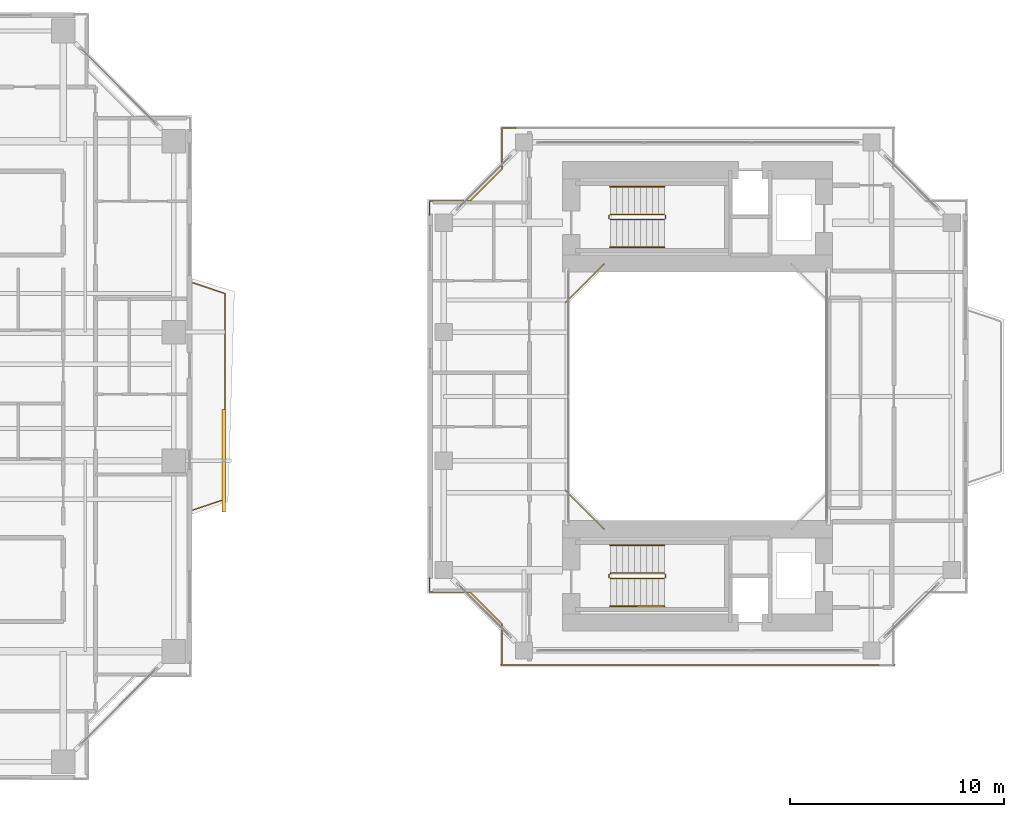
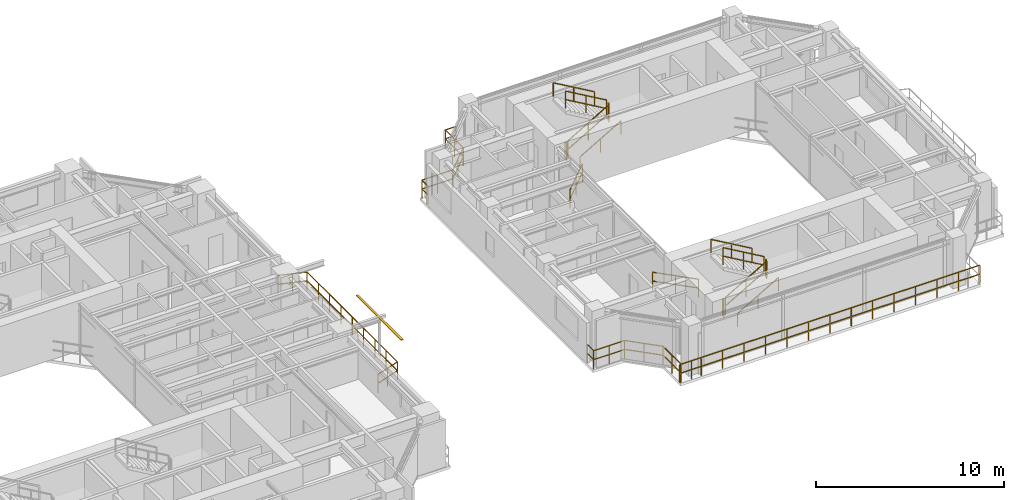
# One storey, part 21 of 23: 18 railings, 1 shading device.
"""IFC4 building model written with IfcOpenShell, lengths in metres."""

from ifc_helpers import new_model, si_unit, direction, frame, origin, origin_2d, place, context, subcontext, project, spatial, rectangle, extrude, source, transform, mapped, material, material_profile, profile_set, type_object, element, save


model = new_model("IFC4")

# Units and contexts
model_context = context("Model", 3, precision=1e-05, world=origin(), true_north=direction((0.0, 1.0)))
body_context = subcontext(model_context, "Body", "Model", "MODEL_VIEW")
ifc_project = project(units=[si_unit("LENGTHUNIT", "METRE"), si_unit("AREAUNIT", "SQUARE_METRE"), si_unit("VOLUMEUNIT", "CUBIC_METRE"), si_unit("PLANEANGLEUNIT", "RADIAN"), si_unit("MASSUNIT", "GRAM", prefix="KILO"), si_unit("THERMODYNAMICTEMPERATUREUNIT", "KELVIN"), si_unit("POWERUNIT", "WATT")], contexts=[model_context])

# Site, building, storey
site_placement = place(None, origin())
site = spatial("IfcSite", under=ifc_project, at=site_placement, CompositionType="ELEMENT")
building_placement = place(site_placement, origin())
building = spatial("IfcBuilding", under=site, at=building_placement, Name="Qiaomeng Ring Towers", CompositionType="ELEMENT")
storey_placement = place(building_placement, frame((0.0, 0.0, 103.5)))
storey = spatial("IfcBuildingStorey", under=building, at=storey_placement, Name="L29", CompositionType="ELEMENT", Elevation=103.5)

# Railings
ifc_material_1 = material(Name="Low-E pale-green laminated safety glass", Category="glass")
railing_type_1 = type_object("IfcRailingType", Name="ARC-RL-BAL1", PredefinedType="BALUSTRADE", material=ifc_material_1)
railing_1_placement = place(storey_placement, frame((36.949951171875, 17.699951171875, 0.0)))
element("IfcRailing", 1, at=railing_1_placement, inside=storey, type_object=railing_type_1, Name="L29 Balustrade ARC-BAL-L29-T1-E", PredefinedType="BALUSTRADE", context=body_context, shape_type="SweptSolid", body=[
    extrude(rectangle(XDim=0.048095703125, YDim=0.048095703125, at=origin_2d()), frame((0.0, 0.0, 1.17578125), z_axis=(0.948044476945, 0.318137815629, 0.0), x_axis=(-0.318137815629, 0.948044476945, 0.0)), (0.0, 0.0, 1.0), 1.571533203125),
    extrude(rectangle(XDim=0.048095703125, YDim=0.048095703125, at=origin_2d()), frame((0.0, 0.0, 0.60009765625), z_axis=(0.948044476945, 0.318137815629, 0.0), x_axis=(-0.318137815629, 0.948044476945, 0.0)), (0.0, 0.0, 1.0), 1.571533203125),
    extrude(rectangle(XDim=0.048095703125, YDim=0.048095703125, at=origin_2d()), frame((1.489990234375, 0.5, 1.17578125), z_axis=(0.0, 1.0, 0.0), x_axis=(-1.0, 0.0, 0.0)), (0.0, 0.0, 1.0), 9.60009765625),
    extrude(rectangle(XDim=0.048095703125, YDim=0.048095703125, at=origin_2d()), frame((1.489990234375, 0.5, 0.60009765625), z_axis=(0.0, 1.0, 0.0), x_axis=(-1.0, 0.0, 0.0)), (0.0, 0.0, 1.0), 9.60009765625),
    extrude(rectangle(XDim=0.048095703125, YDim=0.048095703125, at=origin_2d()), frame((1.489990234375, 10.10009765625, 1.17578125), z_axis=(-0.948044476945, 0.318137815629, 0.0), x_axis=(-0.318137815629, -0.948044476945, 0.0)), (0.0, 0.0, 1.0), 1.571533203125),
    extrude(rectangle(XDim=0.048095703125, YDim=0.048095703125, at=origin_2d()), frame((1.489990234375, 10.10009765625, 0.60009765625), z_axis=(-0.948044476945, 0.318137815629, 0.0), x_axis=(-0.318137815629, -0.948044476945, 0.0)), (0.0, 0.0, 1.0), 1.571533203125),
    extrude(rectangle(XDim=0.0419921875, YDim=0.0419921875, at=origin_2d()), origin(), (0.0, 0.0, 1.0), 1.15185546875),
    extrude(rectangle(XDim=0.0419921875, YDim=0.0419921875, at=origin_2d()), frame((0.7451171875, 0.25, 0.0)), (0.0, 0.0, 1.0), 1.15185546875),
    extrude(rectangle(XDim=0.0419921875, YDim=0.0419921875, at=origin_2d()), frame((1.489990234375, 0.5, 0.0)), (0.0, 0.0, 1.0), 1.15185546875),
    extrude(rectangle(XDim=0.0419921875, YDim=0.0419921875, at=origin_2d()), frame((1.489990234375, 1.699951171875, 0.0)), (0.0, 0.0, 1.0), 1.15185546875),
    extrude(rectangle(XDim=0.0419921875, YDim=0.0419921875, at=origin_2d()), frame((1.489990234375, 2.89990234375, 0.0)), (0.0, 0.0, 1.0), 1.15185546875),
    extrude(rectangle(XDim=0.0419921875, YDim=0.0419921875, at=origin_2d()), frame((1.489990234375, 4.10009765625, 0.0)), (0.0, 0.0, 1.0), 1.15185546875),
    extrude(rectangle(XDim=0.0419921875, YDim=0.0419921875, at=origin_2d()), frame((1.489990234375, 5.300048828125, 0.0)), (0.0, 0.0, 1.0), 1.15185546875),
    extrude(rectangle(XDim=0.0419921875, YDim=0.0419921875, at=origin_2d()), frame((1.489990234375, 6.5, 0.0)), (0.0, 0.0, 1.0), 1.15185546875),
    extrude(rectangle(XDim=0.0419921875, YDim=0.0419921875, at=origin_2d()), frame((1.489990234375, 7.7001953125, 0.0)), (0.0, 0.0, 1.0), 1.15185546875),
    extrude(rectangle(XDim=0.0419921875, YDim=0.0419921875, at=origin_2d()), frame((1.489990234375, 8.900146484375, 0.0)), (0.0, 0.0, 1.0), 1.15185546875),
    extrude(rectangle(XDim=0.0419921875, YDim=0.0419921875, at=origin_2d()), frame((1.489990234375, 10.10009765625, 0.0)), (0.0, 0.0, 1.0), 1.15185546875),
    extrude(rectangle(XDim=0.0419921875, YDim=0.0419921875, at=origin_2d()), frame((0.7451171875, 10.35009765625, 0.0)), (0.0, 0.0, 1.0), 1.15185546875),
    extrude(rectangle(XDim=0.0419921875, YDim=0.0419921875, at=origin_2d()), frame((0.0, 10.60009765625, 0.0)), (0.0, 0.0, 1.0), 1.15185546875),
])
railing_2_placement = place(storey_placement, frame((56.1201171875, 29.179931640625, 0.0)))
element("IfcRailing", 2, at=railing_2_placement, inside=storey, type_object=railing_type_1, Name="L29 Balustrade ARC-BAL-WELL2-L29-3", PredefinedType="BALUSTRADE", context=body_context, shape_type="SweptSolid", body=[
    extrude(rectangle(XDim=0.048095703125, YDim=0.048095703125, at=origin_2d()), frame((0.0, 0.0, 1.17578125), z_axis=(-0.707106781187, -0.707106781187, 0.0), x_axis=(0.707106781187, -0.707106781187, 0.0)), (0.0, 0.0, 1.0), 2.545654296875),
    extrude(rectangle(XDim=0.048095703125, YDim=0.048095703125, at=origin_2d()), frame((0.0, 0.0, 0.60009765625), z_axis=(-0.707106781187, -0.707106781187, 0.0), x_axis=(0.707106781187, -0.707106781187, 0.0)), (0.0, 0.0, 1.0), 2.545654296875),
    extrude(rectangle(XDim=0.0419921875, YDim=0.0419921875, at=origin_2d()), origin(), (0.0, 0.0, 1.0), 1.15185546875),
    extrude(rectangle(XDim=0.0419921875, YDim=0.0419921875, at=origin_2d()), frame((-0.89990234375, -0.89990234375, 0.0)), (0.0, 0.0, 1.0), 1.15185546875),
    extrude(rectangle(XDim=0.0419921875, YDim=0.0419921875, at=origin_2d()), frame((-1.800048828125, -1.800048828125, 0.0)), (0.0, 0.0, 1.0), 1.15185546875),
])
railing_3_placement = place(storey_placement, frame((54.320068359375, 18.6201171875, 0.0)))
element("IfcRailing", 3, at=railing_3_placement, inside=storey, type_object=railing_type_1, Name="L29 Balustrade ARC-BAL-WELL2-L29-4", PredefinedType="BALUSTRADE", context=body_context, shape_type="SweptSolid", body=[
    extrude(rectangle(XDim=0.048095703125, YDim=0.048095703125, at=origin_2d()), frame((0.0, 0.0, 1.17578125), z_axis=(0.707106781187, -0.707106781187, 0.0), x_axis=(0.707106781187, 0.707106781187, 0.0)), (0.0, 0.0, 1.0), 2.545654296875),
    extrude(rectangle(XDim=0.048095703125, YDim=0.048095703125, at=origin_2d()), frame((0.0, 0.0, 0.60009765625), z_axis=(0.707106781187, -0.707106781187, 0.0), x_axis=(0.707106781187, 0.707106781187, 0.0)), (0.0, 0.0, 1.0), 2.545654296875),
    extrude(rectangle(XDim=0.0419921875, YDim=0.0419921875, at=origin_2d()), origin(), (0.0, 0.0, 1.0), 1.15185546875),
    extrude(rectangle(XDim=0.0419921875, YDim=0.0419921875, at=origin_2d()), frame((0.89990234375, -0.89990234375, 0.0)), (0.0, 0.0, 1.0), 1.15185546875),
    extrude(rectangle(XDim=0.0419921875, YDim=0.0419921875, at=origin_2d()), frame((1.800048828125, -1.800048828125, 0.0)), (0.0, 0.0, 1.0), 1.15185546875),
])
railing_4_placement = place(storey_placement, frame((52.030029296875, 35.52001953125, 0.0)))
element("IfcRailing", 4, at=railing_4_placement, inside=storey, type_object=railing_type_1, Name="L29 Balustrade ARC-BAL-NOTCH2-L29-NW", PredefinedType="BALUSTRADE", context=body_context, shape_type="SweptSolid", body=[
    extrude(rectangle(XDim=0.048095703125, YDim=0.048095703125, at=origin_2d()), frame((0.0, 0.0, 1.17578125), z_axis=(-1.0, 0.0, 0.0), x_axis=(0.0, -1.0, 0.0)), (0.0, 0.0, 1.0), 0.650146484375),
    extrude(rectangle(XDim=0.048095703125, YDim=0.048095703125, at=origin_2d()), frame((0.0, 0.0, 0.60009765625), z_axis=(-1.0, 0.0, 0.0), x_axis=(0.0, -1.0, 0.0)), (0.0, 0.0, 1.0), 0.650146484375),
    extrude(rectangle(XDim=0.048095703125, YDim=0.048095703125, at=origin_2d()), frame((-0.650146484375, 0.0, 1.17578125), z_axis=(0.0, -1.0, 0.0), x_axis=(1.0, 0.0, 0.0)), (0.0, 0.0, 1.0), 1.89990234375),
    extrude(rectangle(XDim=0.048095703125, YDim=0.048095703125, at=origin_2d()), frame((-0.650146484375, 0.0, 0.60009765625), z_axis=(0.0, -1.0, 0.0), x_axis=(1.0, 0.0, 0.0)), (0.0, 0.0, 1.0), 1.89990234375),
    extrude(rectangle(XDim=0.048095703125, YDim=0.048095703125, at=origin_2d()), frame((-0.650146484375, -1.89990234375, 1.17578125), z_axis=(-0.707106781187, -0.707106781187, 0.0), x_axis=(0.707106781187, -0.707106781187, 0.0)), (0.0, 0.0, 1.0), 2.121337890625),
    extrude(rectangle(XDim=0.048095703125, YDim=0.048095703125, at=origin_2d()), frame((-0.650146484375, -1.89990234375, 0.60009765625), z_axis=(-0.707106781187, -0.707106781187, 0.0), x_axis=(0.707106781187, -0.707106781187, 0.0)), (0.0, 0.0, 1.0), 2.121337890625),
    extrude(rectangle(XDim=0.048095703125, YDim=0.048095703125, at=origin_2d()), frame((-2.150146484375, -3.39990234375, 1.17578125), z_axis=(-1.0, 0.0, 0.0), x_axis=(0.0, -1.0, 0.0)), (0.0, 0.0, 1.0), 1.89990234375),
    extrude(rectangle(XDim=0.048095703125, YDim=0.048095703125, at=origin_2d()), frame((-2.150146484375, -3.39990234375, 0.60009765625), z_axis=(-1.0, 0.0, 0.0), x_axis=(0.0, -1.0, 0.0)), (0.0, 0.0, 1.0), 1.89990234375),
    extrude(rectangle(XDim=0.048095703125, YDim=0.048095703125, at=origin_2d()), frame((-4.050048828125, -3.39990234375, 1.17578125), z_axis=(0.0, -1.0, 0.0), x_axis=(1.0, 0.0, 0.0)), (0.0, 0.0, 1.0), 0.650146484375),
    extrude(rectangle(XDim=0.048095703125, YDim=0.048095703125, at=origin_2d()), frame((-4.050048828125, -3.39990234375, 0.60009765625), z_axis=(0.0, -1.0, 0.0), x_axis=(1.0, 0.0, 0.0)), (0.0, 0.0, 1.0), 0.650146484375),
    extrude(rectangle(XDim=0.0419921875, YDim=0.0419921875, at=origin_2d()), origin(), (0.0, 0.0, 1.0), 1.15185546875),
    extrude(rectangle(XDim=0.0419921875, YDim=0.0419921875, at=origin_2d()), frame((-0.650146484375, 0.0, 0.0)), (0.0, 0.0, 1.0), 1.15185546875),
    extrude(rectangle(XDim=0.0419921875, YDim=0.0419921875, at=origin_2d()), frame((-0.650146484375, -0.949951171875, 0.0)), (0.0, 0.0, 1.0), 1.15185546875),
    extrude(rectangle(XDim=0.0419921875, YDim=0.0419921875, at=origin_2d()), frame((-0.650146484375, -1.89990234375, 0.0)), (0.0, 0.0, 1.0), 1.15185546875),
    extrude(rectangle(XDim=0.0419921875, YDim=0.0419921875, at=origin_2d()), frame((-1.400146484375, -2.64990234375, 0.0)), (0.0, 0.0, 1.0), 1.15185546875),
    extrude(rectangle(XDim=0.0419921875, YDim=0.0419921875, at=origin_2d()), frame((-2.150146484375, -3.39990234375, 0.0)), (0.0, 0.0, 1.0), 1.15185546875),
    extrude(rectangle(XDim=0.0419921875, YDim=0.0419921875, at=origin_2d()), frame((-3.10009765625, -3.39990234375, 0.0)), (0.0, 0.0, 1.0), 1.15185546875),
    extrude(rectangle(XDim=0.0419921875, YDim=0.0419921875, at=origin_2d()), frame((-4.050048828125, -3.39990234375, 0.0)), (0.0, 0.0, 1.0), 1.15185546875),
    extrude(rectangle(XDim=0.0419921875, YDim=0.0419921875, at=origin_2d()), frame((-4.050048828125, -4.050048828125, 0.0)), (0.0, 0.0, 1.0), 1.15185546875),
])
railing_5_placement = place(storey_placement, frame((47.97998046875, 14.530029296875, 0.0)))
element("IfcRailing", 5, at=railing_5_placement, inside=storey, type_object=railing_type_1, Name="L29 Balustrade ARC-BAL-NOTCH2-L29-SW", PredefinedType="BALUSTRADE", context=body_context, shape_type="SweptSolid", body=[
    extrude(rectangle(XDim=0.048095703125, YDim=0.048095703125, at=origin_2d()), frame((0.0, 0.0, 1.17578125), z_axis=(0.0, -1.0, 0.0), x_axis=(1.0, 0.0, 0.0)), (0.0, 0.0, 1.0), 0.650146484375),
    extrude(rectangle(XDim=0.048095703125, YDim=0.048095703125, at=origin_2d()), frame((0.0, 0.0, 0.60009765625), z_axis=(0.0, -1.0, 0.0), x_axis=(1.0, 0.0, 0.0)), (0.0, 0.0, 1.0), 0.650146484375),
    extrude(rectangle(XDim=0.048095703125, YDim=0.048095703125, at=origin_2d()), frame((0.0, -0.650146484375, 1.17578125), z_axis=(1.0, 0.0, 0.0), x_axis=(0.0, 1.0, 0.0)), (0.0, 0.0, 1.0), 1.89990234375),
    extrude(rectangle(XDim=0.048095703125, YDim=0.048095703125, at=origin_2d()), frame((0.0, -0.650146484375, 0.60009765625), z_axis=(1.0, 0.0, 0.0), x_axis=(0.0, 1.0, 0.0)), (0.0, 0.0, 1.0), 1.89990234375),
    extrude(rectangle(XDim=0.048095703125, YDim=0.048095703125, at=origin_2d()), frame((1.89990234375, -0.650146484375, 1.17578125), z_axis=(0.707106781187, -0.707106781187, 0.0), x_axis=(0.707106781187, 0.707106781187, 0.0)), (0.0, 0.0, 1.0), 2.121337890625),
    extrude(rectangle(XDim=0.048095703125, YDim=0.048095703125, at=origin_2d()), frame((1.89990234375, -0.650146484375, 0.60009765625), z_axis=(0.707106781187, -0.707106781187, 0.0), x_axis=(0.707106781187, 0.707106781187, 0.0)), (0.0, 0.0, 1.0), 2.121337890625),
    extrude(rectangle(XDim=0.048095703125, YDim=0.048095703125, at=origin_2d()), frame((3.39990234375, -2.150146484375, 1.17578125), z_axis=(0.0, -1.0, 0.0), x_axis=(1.0, 0.0, 0.0)), (0.0, 0.0, 1.0), 1.89990234375),
    extrude(rectangle(XDim=0.048095703125, YDim=0.048095703125, at=origin_2d()), frame((3.39990234375, -2.150146484375, 0.60009765625), z_axis=(0.0, -1.0, 0.0), x_axis=(1.0, 0.0, 0.0)), (0.0, 0.0, 1.0), 1.89990234375),
    extrude(rectangle(XDim=0.048095703125, YDim=0.048095703125, at=origin_2d()), frame((3.39990234375, -4.050048828125, 1.17578125), z_axis=(1.0, 0.0, 0.0), x_axis=(0.0, 1.0, 0.0)), (0.0, 0.0, 1.0), 0.650146484375),
    extrude(rectangle(XDim=0.048095703125, YDim=0.048095703125, at=origin_2d()), frame((3.39990234375, -4.050048828125, 0.60009765625), z_axis=(1.0, 0.0, 0.0), x_axis=(0.0, 1.0, 0.0)), (0.0, 0.0, 1.0), 0.650146484375),
    extrude(rectangle(XDim=0.0419921875, YDim=0.0419921875, at=origin_2d()), origin(), (0.0, 0.0, 1.0), 1.15185546875),
    extrude(rectangle(XDim=0.0419921875, YDim=0.0419921875, at=origin_2d()), frame((0.0, -0.650146484375, 0.0)), (0.0, 0.0, 1.0), 1.15185546875),
    extrude(rectangle(XDim=0.0419921875, YDim=0.0419921875, at=origin_2d()), frame((0.949951171875, -0.650146484375, 0.0)), (0.0, 0.0, 1.0), 1.15185546875),
    extrude(rectangle(XDim=0.0419921875, YDim=0.0419921875, at=origin_2d()), frame((1.89990234375, -0.650146484375, 0.0)), (0.0, 0.0, 1.0), 1.15185546875),
    extrude(rectangle(XDim=0.0419921875, YDim=0.0419921875, at=origin_2d()), frame((2.64990234375, -1.400146484375, 0.0)), (0.0, 0.0, 1.0), 1.15185546875),
    extrude(rectangle(XDim=0.0419921875, YDim=0.0419921875, at=origin_2d()), frame((3.39990234375, -2.150146484375, 0.0)), (0.0, 0.0, 1.0), 1.15185546875),
    extrude(rectangle(XDim=0.0419921875, YDim=0.0419921875, at=origin_2d()), frame((3.39990234375, -3.10009765625, 0.0)), (0.0, 0.0, 1.0), 1.15185546875),
    extrude(rectangle(XDim=0.0419921875, YDim=0.0419921875, at=origin_2d()), frame((3.39990234375, -4.050048828125, 0.0)), (0.0, 0.0, 1.0), 1.15185546875),
    extrude(rectangle(XDim=0.0419921875, YDim=0.0419921875, at=origin_2d()), frame((4.050048828125, -4.050048828125, 0.0)), (0.0, 0.0, 1.0), 1.15185546875),
])
railing_6_placement = place(storey_placement, frame((51.300048828125, 10.47998046875, 0.0)))
element("IfcRailing", 6, at=railing_6_placement, inside=storey, type_object=railing_type_1, Name="L29 Balustrade ARC-BAL-T2S-L29", PredefinedType="BALUSTRADE", context=body_context, shape_type="SweptSolid", body=[
    extrude(rectangle(XDim=0.048095703125, YDim=0.048095703125, at=origin_2d()), frame((0.0, 0.0, 1.17578125), z_axis=(1.0, 0.0, 0.0), x_axis=(0.0, 1.0, 0.0)), (0.0, 0.0, 1.0), 18.39990234375),
    extrude(rectangle(XDim=0.048095703125, YDim=0.048095703125, at=origin_2d()), frame((0.0, 0.0, 0.60009765625), z_axis=(1.0, 0.0, 0.0), x_axis=(0.0, 1.0, 0.0)), (0.0, 0.0, 1.0), 18.39990234375),
    extrude(rectangle(XDim=0.0419921875, YDim=0.0419921875, at=origin_2d()), origin(), (0.0, 0.0, 1.0), 1.15185546875),
    extrude(rectangle(XDim=0.0419921875, YDim=0.0419921875, at=origin_2d()), frame((1.314208984375, 0.0, 0.0)), (0.0, 0.0, 1.0), 1.15185546875),
    extrude(rectangle(XDim=0.0419921875, YDim=0.0419921875, at=origin_2d()), frame((2.628662109375, 0.0, 0.0)), (0.0, 0.0, 1.0), 1.15185546875),
    extrude(rectangle(XDim=0.0419921875, YDim=0.0419921875, at=origin_2d()), frame((3.94287109375, 0.0, 0.0)), (0.0, 0.0, 1.0), 1.15185546875),
    extrude(rectangle(XDim=0.0419921875, YDim=0.0419921875, at=origin_2d()), frame((5.257080078125, 0.0, 0.0)), (0.0, 0.0, 1.0), 1.15185546875),
    extrude(rectangle(XDim=0.0419921875, YDim=0.0419921875, at=origin_2d()), frame((6.5712890625, 0.0, 0.0)), (0.0, 0.0, 1.0), 1.15185546875),
    extrude(rectangle(XDim=0.0419921875, YDim=0.0419921875, at=origin_2d()), frame((7.8857421875, 0.0, 0.0)), (0.0, 0.0, 1.0), 1.15185546875),
    extrude(rectangle(XDim=0.0419921875, YDim=0.0419921875, at=origin_2d()), frame((9.199951171875, 0.0, 0.0)), (0.0, 0.0, 1.0), 1.15185546875),
    extrude(rectangle(XDim=0.0419921875, YDim=0.0419921875, at=origin_2d()), frame((10.51416015625, 0.0, 0.0)), (0.0, 0.0, 1.0), 1.15185546875),
    extrude(rectangle(XDim=0.0419921875, YDim=0.0419921875, at=origin_2d()), frame((11.82861328125, 0.0, 0.0)), (0.0, 0.0, 1.0), 1.15185546875),
    extrude(rectangle(XDim=0.0419921875, YDim=0.0419921875, at=origin_2d()), frame((13.142822265625, 0.0, 0.0)), (0.0, 0.0, 1.0), 1.15185546875),
    extrude(rectangle(XDim=0.0419921875, YDim=0.0419921875, at=origin_2d()), frame((14.45703125, 0.0, 0.0)), (0.0, 0.0, 1.0), 1.15185546875),
    extrude(rectangle(XDim=0.0419921875, YDim=0.0419921875, at=origin_2d()), frame((15.771240234375, 0.0, 0.0)), (0.0, 0.0, 1.0), 1.15185546875),
    extrude(rectangle(XDim=0.0419921875, YDim=0.0419921875, at=origin_2d()), frame((17.085693359375, 0.0, 0.0)), (0.0, 0.0, 1.0), 1.15185546875),
    extrude(rectangle(XDim=0.0419921875, YDim=0.0419921875, at=origin_2d()), frame((18.39990234375, 0.0, 0.0)), (0.0, 0.0, 1.0), 1.15185546875),
])
ifc_material_2 = material(Name="Galvanised steel", Category="steel")
railing_type_2 = type_object("IfcRailingType", Name="ARC-RL-GUARD", PredefinedType="GUARDRAIL", material=ifc_material_2)
railing_7_placement = place(storey_placement, frame((56.419921875, 31.25, 0.16259765625)))
element("IfcRailing", 7, at=railing_7_placement, inside=storey, type_object=railing_type_2, Name="L29 ST5 stair guard 1", PredefinedType="GUARDRAIL", context=body_context, shape_type="SweptSolid", body=[
    extrude(rectangle(XDim=0.048095703125, YDim=0.048095703125, at=origin_2d()), frame((0.0, 0.0, 1.1259765625), z_axis=(0.864913338283, 0.0, 0.50192122615), x_axis=(0.0, 1.0, 0.0)), (0.0, 0.0, 1.0), 2.91357421875),
    extrude(rectangle(XDim=0.048095703125, YDim=0.048095703125, at=origin_2d()), frame((0.0, 0.0, 0.574951171875), z_axis=(0.864913338283, 0.0, 0.50192122615), x_axis=(0.0, 1.0, 0.0)), (0.0, 0.0, 1.0), 2.91357421875),
    extrude(rectangle(XDim=0.0419921875, YDim=0.0419921875, at=origin_2d()), origin(), (0.0, 0.0, 1.0), 1.101806640625),
    extrude(rectangle(XDim=0.0419921875, YDim=0.0419921875, at=origin_2d()), frame((1.260009765625, 0.0, 0.731201171875)), (0.0, 0.0, 1.0), 1.101806640625),
    extrude(rectangle(XDim=0.0419921875, YDim=0.0419921875, at=origin_2d()), frame((2.52001953125, 0.0, 1.46240234375)), (0.0, 0.0, 1.0), 1.101806640625),
])
railing_8_placement = place(storey_placement, frame((58.989990234375, 31.300048828125, 1.625)))
element("IfcRailing", 8, at=railing_8_placement, inside=storey, type_object=railing_type_2, Name="L29 ST5 stair guard 2", PredefinedType="GUARDRAIL", context=body_context, shape_type="SweptSolid", body=[
    extrude(rectangle(XDim=0.048095703125, YDim=0.048095703125, at=origin_2d()), frame((0.0, 0.0, 1.1259765625), z_axis=(0.0, 1.0, 0.0), x_axis=(-1.0, 0.0, 0.0)), (0.0, 0.0, 1.0), 0.139892578125),
    extrude(rectangle(XDim=0.048095703125, YDim=0.048095703125, at=origin_2d()), frame((0.0, 0.0, 0.574951171875), z_axis=(0.0, 1.0, 0.0), x_axis=(-1.0, 0.0, 0.0)), (0.0, 0.0, 1.0), 0.139892578125),
    extrude(rectangle(XDim=0.0419921875, YDim=0.0419921875, at=origin_2d()), origin(), (0.0, 0.0, 1.0), 1.101806640625),
    extrude(rectangle(XDim=0.0419921875, YDim=0.0419921875, at=origin_2d()), frame((0.0, 0.139892578125, 0.0)), (0.0, 0.0, 1.0), 1.101806640625),
])
railing_9_placement = place(storey_placement, frame((58.93994140625, 31.489990234375, 1.78759765625)))
element("IfcRailing", 9, at=railing_9_placement, inside=storey, type_object=railing_type_2, Name="L29 ST5 stair guard 3", PredefinedType="GUARDRAIL", context=body_context, shape_type="SweptSolid", body=[
    extrude(rectangle(XDim=0.048095703125, YDim=0.048095703125, at=origin_2d()), frame((0.0, 0.0, 1.1259765625), z_axis=(-0.864913338283, 0.0, 0.50192122615), x_axis=(0.0, -1.0, 0.0)), (0.0, 0.0, 1.0), 2.91357421875),
    extrude(rectangle(XDim=0.048095703125, YDim=0.048095703125, at=origin_2d()), frame((0.0, 0.0, 0.574951171875), z_axis=(-0.864913338283, 0.0, 0.50192122615), x_axis=(0.0, -1.0, 0.0)), (0.0, 0.0, 1.0), 2.91357421875),
    extrude(rectangle(XDim=0.0419921875, YDim=0.0419921875, at=origin_2d()), origin(), (0.0, 0.0, 1.0), 1.101806640625),
    extrude(rectangle(XDim=0.0419921875, YDim=0.0419921875, at=origin_2d()), frame((-1.260009765625, 0.0, 0.731201171875)), (0.0, 0.0, 1.0), 1.101806640625),
    extrude(rectangle(XDim=0.0419921875, YDim=0.0419921875, at=origin_2d()), frame((-2.52001953125, 0.0, 1.46240234375)), (0.0, 0.0, 1.0), 1.101806640625),
])
railing_10_placement = place(storey_placement, frame((56.3701171875, 31.300048828125, 0.0)))
element("IfcRailing", 10, at=railing_10_placement, inside=storey, type_object=railing_type_2, Name="L29 ST5 stair guard 4", PredefinedType="GUARDRAIL", context=body_context, shape_type="SweptSolid", body=[
    extrude(rectangle(XDim=0.048095703125, YDim=0.048095703125, at=origin_2d()), frame((0.0, 0.0, 1.1259765625), z_axis=(0.0, 1.0, 0.0), x_axis=(-1.0, 0.0, 0.0)), (0.0, 0.0, 1.0), 0.139892578125),
    extrude(rectangle(XDim=0.048095703125, YDim=0.048095703125, at=origin_2d()), frame((0.0, 0.0, 0.574951171875), z_axis=(0.0, 1.0, 0.0), x_axis=(-1.0, 0.0, 0.0)), (0.0, 0.0, 1.0), 0.139892578125),
    extrude(rectangle(XDim=0.0419921875, YDim=0.0419921875, at=origin_2d()), origin(), (0.0, 0.0, 1.0), 1.101806640625),
    extrude(rectangle(XDim=0.0419921875, YDim=0.0419921875, at=origin_2d()), frame((0.0, 0.139892578125, 0.0)), (0.0, 0.0, 1.0), 1.101806640625),
])
railing_11_placement = place(storey_placement, frame((56.419921875, 14.510009765625, 0.16259765625)))
element("IfcRailing", 11, at=railing_11_placement, inside=storey, type_object=railing_type_2, Name="L29 ST6 stair guard 1", PredefinedType="GUARDRAIL", context=body_context, shape_type="SweptSolid", body=[
    extrude(rectangle(XDim=0.048095703125, YDim=0.048095703125, at=origin_2d()), frame((0.0, 0.0, 1.1259765625), z_axis=(0.864913338283, 0.0, 0.50192122615), x_axis=(0.0, 1.0, 0.0)), (0.0, 0.0, 1.0), 2.91357421875),
    extrude(rectangle(XDim=0.048095703125, YDim=0.048095703125, at=origin_2d()), frame((0.0, 0.0, 0.574951171875), z_axis=(0.864913338283, 0.0, 0.50192122615), x_axis=(0.0, 1.0, 0.0)), (0.0, 0.0, 1.0), 2.91357421875),
    extrude(rectangle(XDim=0.0419921875, YDim=0.0419921875, at=origin_2d()), origin(), (0.0, 0.0, 1.0), 1.101806640625),
    extrude(rectangle(XDim=0.0419921875, YDim=0.0419921875, at=origin_2d()), frame((1.260009765625, 0.0, 0.731201171875)), (0.0, 0.0, 1.0), 1.101806640625),
    extrude(rectangle(XDim=0.0419921875, YDim=0.0419921875, at=origin_2d()), frame((2.52001953125, 0.0, 1.46240234375)), (0.0, 0.0, 1.0), 1.101806640625),
])
railing_12_placement = place(storey_placement, frame((58.989990234375, 14.56005859375, 1.625)))
element("IfcRailing", 12, at=railing_12_placement, inside=storey, type_object=railing_type_2, Name="L29 ST6 stair guard 2", PredefinedType="GUARDRAIL", context=body_context, shape_type="SweptSolid", body=[
    extrude(rectangle(XDim=0.048095703125, YDim=0.048095703125, at=origin_2d()), frame((0.0, 0.0, 1.1259765625), z_axis=(0.0, 1.0, 0.0), x_axis=(-1.0, 0.0, 0.0)), (0.0, 0.0, 1.0), 0.139892578125),
    extrude(rectangle(XDim=0.048095703125, YDim=0.048095703125, at=origin_2d()), frame((0.0, 0.0, 0.574951171875), z_axis=(0.0, 1.0, 0.0), x_axis=(-1.0, 0.0, 0.0)), (0.0, 0.0, 1.0), 0.139892578125),
    extrude(rectangle(XDim=0.0419921875, YDim=0.0419921875, at=origin_2d()), origin(), (0.0, 0.0, 1.0), 1.101806640625),
    extrude(rectangle(XDim=0.0419921875, YDim=0.0419921875, at=origin_2d()), frame((0.0, 0.139892578125, 0.0)), (0.0, 0.0, 1.0), 1.101806640625),
])
railing_13_placement = place(storey_placement, frame((58.93994140625, 14.75, 1.78759765625)))
element("IfcRailing", 13, at=railing_13_placement, inside=storey, type_object=railing_type_2, Name="L29 ST6 stair guard 3", PredefinedType="GUARDRAIL", context=body_context, shape_type="SweptSolid", body=[
    extrude(rectangle(XDim=0.048095703125, YDim=0.048095703125, at=origin_2d()), frame((0.0, 0.0, 1.1259765625), z_axis=(-0.864913338283, 0.0, 0.50192122615), x_axis=(0.0, -1.0, 0.0)), (0.0, 0.0, 1.0), 2.91357421875),
    extrude(rectangle(XDim=0.048095703125, YDim=0.048095703125, at=origin_2d()), frame((0.0, 0.0, 0.574951171875), z_axis=(-0.864913338283, 0.0, 0.50192122615), x_axis=(0.0, -1.0, 0.0)), (0.0, 0.0, 1.0), 2.91357421875),
    extrude(rectangle(XDim=0.0419921875, YDim=0.0419921875, at=origin_2d()), origin(), (0.0, 0.0, 1.0), 1.101806640625),
    extrude(rectangle(XDim=0.0419921875, YDim=0.0419921875, at=origin_2d()), frame((-1.260009765625, 0.0, 0.731201171875)), (0.0, 0.0, 1.0), 1.101806640625),
    extrude(rectangle(XDim=0.0419921875, YDim=0.0419921875, at=origin_2d()), frame((-2.52001953125, 0.0, 1.46240234375)), (0.0, 0.0, 1.0), 1.101806640625),
])
railing_14_placement = place(storey_placement, frame((56.3701171875, 14.56005859375, 0.0)))
element("IfcRailing", 14, at=railing_14_placement, inside=storey, type_object=railing_type_2, Name="L29 ST6 stair guard 4", PredefinedType="GUARDRAIL", context=body_context, shape_type="SweptSolid", body=[
    extrude(rectangle(XDim=0.048095703125, YDim=0.048095703125, at=origin_2d()), frame((0.0, 0.0, 1.1259765625), z_axis=(0.0, 1.0, 0.0), x_axis=(-1.0, 0.0, 0.0)), (0.0, 0.0, 1.0), 0.139892578125),
    extrude(rectangle(XDim=0.048095703125, YDim=0.048095703125, at=origin_2d()), frame((0.0, 0.0, 0.574951171875), z_axis=(0.0, 1.0, 0.0), x_axis=(-1.0, 0.0, 0.0)), (0.0, 0.0, 1.0), 0.139892578125),
    extrude(rectangle(XDim=0.0419921875, YDim=0.0419921875, at=origin_2d()), origin(), (0.0, 0.0, 1.0), 1.101806640625),
    extrude(rectangle(XDim=0.0419921875, YDim=0.0419921875, at=origin_2d()), frame((0.0, 0.139892578125, 0.0)), (0.0, 0.0, 1.0), 1.101806640625),
])
ifc_material_3 = material(Name="Stainless steel 316", Category="steel")
railing_type_3 = type_object("IfcRailingType", Name="ARC-RL-HAND", PredefinedType="HANDRAIL", material=ifc_material_3)
railing_15_placement = place(storey_placement, frame((56.419921875, 29.949951171875, 0.16259765625)))
element("IfcRailing", 15, at=railing_15_placement, inside=storey, type_object=railing_type_3, Name="L29 ST5 stair handrail 1", PredefinedType="HANDRAIL", context=body_context, shape_type="SweptSolid", body=[
    extrude(rectangle(XDim=0.048095703125, YDim=0.048095703125, at=origin_2d()), frame((0.0, 0.0, 0.8759765625), z_axis=(0.864913338283, 0.0, 0.50192122615), x_axis=(0.0, 1.0, 0.0)), (0.0, 0.0, 1.0), 2.91357421875),
    extrude(rectangle(XDim=0.0419921875, YDim=0.0419921875, at=origin_2d()), origin(), (0.0, 0.0, 1.0), 0.851806640625),
    extrude(rectangle(XDim=0.0419921875, YDim=0.0419921875, at=origin_2d()), frame((1.260009765625, 0.0, 0.731201171875)), (0.0, 0.0, 1.0), 0.851806640625),
    extrude(rectangle(XDim=0.0419921875, YDim=0.0419921875, at=origin_2d()), frame((2.52001953125, 0.0, 1.46240234375)), (0.0, 0.0, 1.0), 0.851806640625),
])
railing_16_placement = place(storey_placement, frame((58.93994140625, 32.7900390625, 1.78759765625)))
element("IfcRailing", 16, at=railing_16_placement, inside=storey, type_object=railing_type_3, Name="L29 ST5 stair handrail 2", PredefinedType="HANDRAIL", context=body_context, shape_type="SweptSolid", body=[
    extrude(rectangle(XDim=0.048095703125, YDim=0.048095703125, at=origin_2d()), frame((0.0, 0.0, 0.8759765625), z_axis=(-0.864913338283, 0.0, 0.50192122615), x_axis=(0.0, -1.0, 0.0)), (0.0, 0.0, 1.0), 2.91357421875),
    extrude(rectangle(XDim=0.0419921875, YDim=0.0419921875, at=origin_2d()), origin(), (0.0, 0.0, 1.0), 0.851806640625),
    extrude(rectangle(XDim=0.0419921875, YDim=0.0419921875, at=origin_2d()), frame((-1.260009765625, 0.0, 0.731201171875)), (0.0, 0.0, 1.0), 0.851806640625),
    extrude(rectangle(XDim=0.0419921875, YDim=0.0419921875, at=origin_2d()), frame((-2.52001953125, 0.0, 1.46240234375)), (0.0, 0.0, 1.0), 0.851806640625),
])
railing_17_placement = place(storey_placement, frame((56.419921875, 13.2099609375, 0.16259765625)))
element("IfcRailing", 17, at=railing_17_placement, inside=storey, type_object=railing_type_3, Name="L29 ST6 stair handrail 1", PredefinedType="HANDRAIL", context=body_context, shape_type="SweptSolid", body=[
    extrude(rectangle(XDim=0.048095703125, YDim=0.048095703125, at=origin_2d()), frame((0.0, 0.0, 0.8759765625), z_axis=(0.864913338283, 0.0, 0.50192122615), x_axis=(0.0, 1.0, 0.0)), (0.0, 0.0, 1.0), 2.91357421875),
    extrude(rectangle(XDim=0.0419921875, YDim=0.0419921875, at=origin_2d()), origin(), (0.0, 0.0, 1.0), 0.851806640625),
    extrude(rectangle(XDim=0.0419921875, YDim=0.0419921875, at=origin_2d()), frame((1.260009765625, 0.0, 0.731201171875)), (0.0, 0.0, 1.0), 0.851806640625),
    extrude(rectangle(XDim=0.0419921875, YDim=0.0419921875, at=origin_2d()), frame((2.52001953125, 0.0, 1.46240234375)), (0.0, 0.0, 1.0), 0.851806640625),
])
railing_18_placement = place(storey_placement, frame((58.93994140625, 16.050048828125, 1.78759765625)))
element("IfcRailing", 18, at=railing_18_placement, inside=storey, type_object=railing_type_3, Name="L29 ST6 stair handrail 2", PredefinedType="HANDRAIL", context=body_context, shape_type="SweptSolid", body=[
    extrude(rectangle(XDim=0.048095703125, YDim=0.048095703125, at=origin_2d()), frame((0.0, 0.0, 0.8759765625), z_axis=(-0.864913338283, 0.0, 0.50192122615), x_axis=(0.0, -1.0, 0.0)), (0.0, 0.0, 1.0), 2.91357421875),
    extrude(rectangle(XDim=0.0419921875, YDim=0.0419921875, at=origin_2d()), origin(), (0.0, 0.0, 1.0), 0.851806640625),
    extrude(rectangle(XDim=0.0419921875, YDim=0.0419921875, at=origin_2d()), frame((-1.260009765625, 0.0, 0.731201171875)), (0.0, 0.0, 1.0), 0.851806640625),
    extrude(rectangle(XDim=0.0419921875, YDim=0.0419921875, at=origin_2d()), frame((-2.52001953125, 0.0, 1.46240234375)), (0.0, 0.0, 1.0), 0.851806640625),
])

# Shading device
ifc_material_4 = material(Name="Fluorocarbon dark-grey aluminium", Category="aluminium")
ifc_material_profile = material_profile(ifc_material_4, rectangle(XDim=0.14990234375, YDim=0.034912109375, at=origin_2d()), Name="LV BLADE 150x35")
ifc_profile_set = profile_set([ifc_material_profile], Name="Fluorocarbon dark-grey aluminium")
shading_device_type = type_object("IfcShadingDeviceType", Name="ARC-SHD-SUN", PredefinedType="AWNING", material=ifc_profile_set)
shared_shape = source(origin(), body_context, "Body", "SweptSolid", [
    extrude(rectangle(XDim=0.14990234375, YDim=0.034912109375, at=origin_2d()), origin(), (0.0, 0.0, 1.0), 4.7998046875),
])
shading_device_placement = place(storey_placement, frame((38.389892578125, 17.60009765625, 2.969970703125), z_axis=(0.0, 1.0, 0.0), x_axis=(-1.0, 0.0, 0.0)))
element("IfcShadingDevice", 19, at=shading_device_placement, inside=storey, type_object=shading_device_type, Name="L29 Ventilated Outer-Skin Sunshade E", PredefinedType="AWNING", context=body_context, shape_type="MappedRepresentation", body=[
    mapped(shared_shape, transform((0.0, 0.0, 0.0), x_axis=(1.0, 0.0, 0.0), y_axis=(0.0, 1.0, 0.0), z_axis=(0.0, 0.0, 1.0), scale=1.0)),
])

save(model, "model.ifc")
